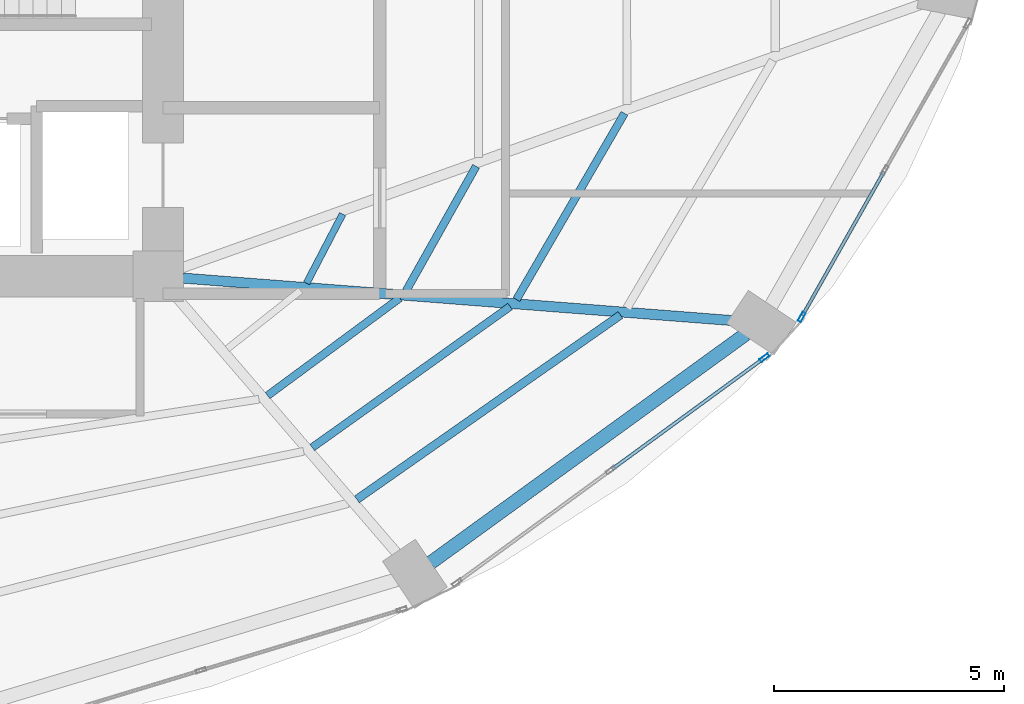
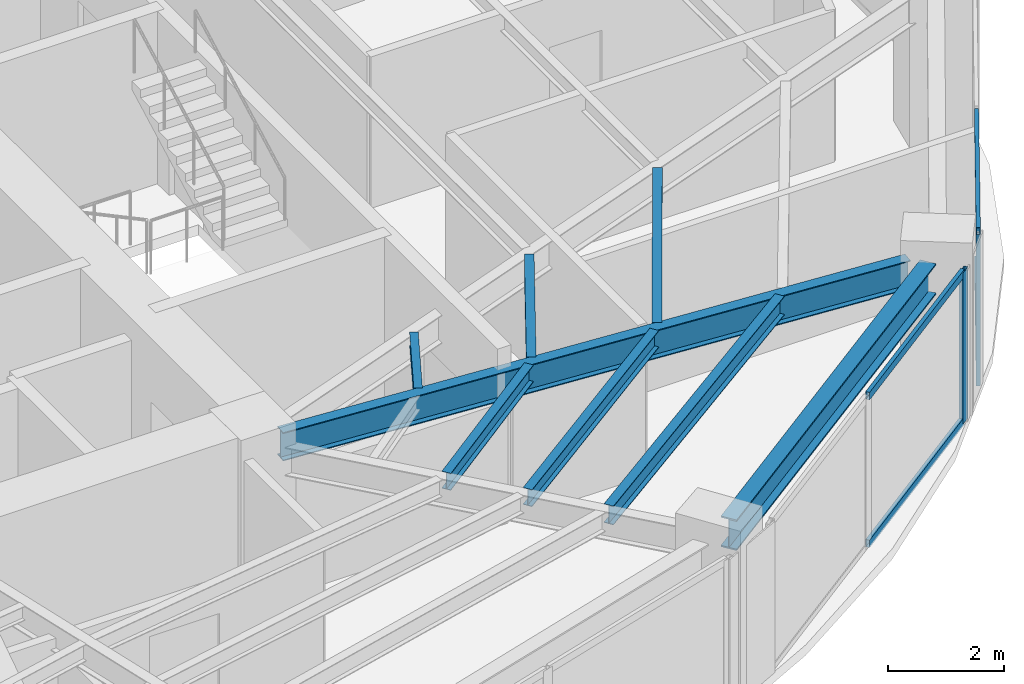
# One storey, part 10 of 24: 8 beams, 6 members, 2 elements without a shape of their own.
"""IFC4 building model written with IfcOpenShell, lengths in metres."""

from ifc_helpers import new_model, si_unit, direction, frame, origin, origin_2d, place, context, subcontext, project, spatial, hollow_rectangle, i_section, extrude, material, layer, layer_set, material_profile, profile_set, type_object, element, aggregate, save


model = new_model("IFC4")

# Units and contexts
model_context = context("Model", 3, precision=1e-05, world=origin(), true_north=direction((0.0, 1.0)))
body_context = subcontext(model_context, "Body", "Model", "MODEL_VIEW")
ifc_project = project(units=[si_unit("LENGTHUNIT", "METRE"), si_unit("AREAUNIT", "SQUARE_METRE"), si_unit("VOLUMEUNIT", "CUBIC_METRE"), si_unit("PLANEANGLEUNIT", "RADIAN"), si_unit("MASSUNIT", "GRAM", prefix="KILO")], contexts=[model_context])

# Site, building, storey
site_placement = place(None, origin())
site = spatial("IfcSite", under=ifc_project, at=site_placement, CompositionType="ELEMENT")
building_placement = place(site_placement, origin())
building = spatial("IfcBuilding", under=site, at=building_placement, Name="Lazwardi Medical Tower", CompositionType="ELEMENT")
storey_placement = place(building_placement, frame((0.0, 0.0, 72.6240234375)))
storey = spatial("IfcBuildingStorey", under=building, at=storey_placement, Name="L18", CompositionType="ELEMENT", Elevation=72.6240234375)

# Beams
ifc_material_1 = material(Name="Steel S355", Category="steel")
ifc_material_profile_1 = material_profile(ifc_material_1, i_section(OverallWidth=0.300048828125, OverallDepth=0.64990234375, WebThickness=0.01611328125, FlangeThickness=0.031005859375, at=origin_2d()), Name="HEB 650")
ifc_profile_set_1 = profile_set([ifc_material_profile_1], Name="Steel S355")
beam_type_1 = type_object("IfcBeamType", Name="BM-RB-Z1", PredefinedType="BEAM", material=ifc_profile_set_1)
beam_1_placement = place(storey_placement, frame((51.52099609375, 14.16259765625, 2.873046875), z_axis=(0.80939338516, 0.5872668457, 0.0), x_axis=(-0.5872668457, 0.80939338516, 0.0)))
element("IfcBeam", 1, at=beam_1_placement, inside=storey, type_object=beam_type_1, Name="Ring beam RB-02 B02 L18", PredefinedType="BEAM", context=body_context, shape_type="SweptSolid", body=[
    extrude(i_section(OverallWidth=0.300048828125, OverallDepth=0.64990234375, WebThickness=0.01611328125, FlangeThickness=0.031005859375, at=origin_2d()), origin(), (0.0, 0.0, 1.0), 8.47412109375),
])
ifc_material_profile_2 = material_profile(ifc_material_1, i_section(OverallWidth=0.219970703125, OverallDepth=0.60009765625, WebThickness=0.011962890625, FlangeThickness=0.01904296875, at=origin_2d()), Name="IPE 600")
ifc_profile_set_2 = profile_set([ifc_material_profile_2], Name="Steel S355")
beam_type_2 = type_object("IfcBeamType", Name="BM-RG-W1", PredefinedType="BEAM", material=ifc_profile_set_2)
beam_2_placement = place(storey_placement, frame((58.1416015625, 19.430419921875, 2.89794921875), z_axis=(-0.997024241118, 0.077088667283, 0.0), x_axis=(-0.077088667283, -0.997024241118, 0.0)))
element("IfcBeam", 2, at=beam_2_placement, inside=storey, type_object=beam_type_2, Name="Radial girder RG-02 R03 L18", PredefinedType="BEAM", context=body_context, shape_type="SweptSolid", body=[
    extrude(i_section(OverallWidth=0.219970703125, OverallDepth=0.60009765625, WebThickness=0.011962890625, FlangeThickness=0.01904296875, at=origin_2d()), origin(), (0.0, 0.0, 1.0), 12.044189453125),
])
ifc_material_profile_3 = material_profile(ifc_material_1, i_section(OverallWidth=0.179931640625, OverallDepth=0.39990234375, WebThickness=0.008544921875, FlangeThickness=0.013427734375, at=origin_2d()), Name="IPE 400")
ifc_profile_set_3 = profile_set([ifc_material_profile_3], Name="Steel S355")
beam_type_3 = type_object("IfcBeamType", Name="BM-SJ-01", PredefinedType="JOIST", material=ifc_profile_set_3)
beam_3_placement = place(storey_placement, frame((49.91796875, 15.543701171875, 2.998046875), z_axis=(0.81942522483, 0.573186096231, 0.0), x_axis=(-0.573186096231, 0.81942522483, 0.0)))
element("IfcBeam", 3, at=beam_3_placement, inside=storey, type_object=beam_type_3, Name="Secondary joist SJ-01 R1 B02 L18", PredefinedType="JOIST", context=body_context, shape_type="SweptSolid", body=[
    extrude(i_section(OverallWidth=0.179931640625, OverallDepth=0.39990234375, WebThickness=0.008544921875, FlangeThickness=0.013427734375, at=origin_2d()), origin(), (0.0, 0.0, 1.0), 6.999755859375),
])
ifc_material_profile_4 = material_profile(ifc_material_1, i_section(OverallWidth=0.169921875, OverallDepth=0.360107421875, WebThickness=0.008056640625, FlangeThickness=0.0126953125, at=origin_2d()), Name="IPE 360")
ifc_profile_set_4 = profile_set([ifc_material_profile_4], Name="Steel S355")
beam_type_4 = type_object("IfcBeamType", Name="BM-SJ-02", PredefinedType="JOIST", material=ifc_profile_set_4)
beam_4_placement = place(storey_placement, frame((48.94677734375, 16.672119140625, 3.01806640625), z_axis=(0.814341377136, 0.580386183058, 0.0), x_axis=(-0.580386183058, 0.814341377136, 0.0)))
element("IfcBeam", 4, at=beam_4_placement, inside=storey, type_object=beam_type_4, Name="Secondary joist SJ-02 R2 B02 L18", PredefinedType="JOIST", context=body_context, shape_type="SweptSolid", body=[
    extrude(i_section(OverallWidth=0.169921875, OverallDepth=0.360107421875, WebThickness=0.008056640625, FlangeThickness=0.0126953125, at=origin_2d()), origin(), (0.0, 0.0, 1.0), 5.28759765625),
])
beam_5_placement = place(storey_placement, frame((53.39111328125, 19.892578125, 3.01806640625), z_axis=(0.501798442848, 0.86498457949, 0.0), x_axis=(-0.86498457949, 0.501798442848, 0.0)))
element("IfcBeam", 5, at=beam_5_placement, inside=storey, type_object=beam_type_4, Name="Secondary joist SJ-02 R2 B03 L18", PredefinedType="JOIST", context=body_context, shape_type="SweptSolid", body=[
    extrude(i_section(OverallWidth=0.169921875, OverallDepth=0.360107421875, WebThickness=0.008056640625, FlangeThickness=0.0126953125, at=origin_2d()), origin(), (0.0, 0.0, 1.0), 4.683349609375),
])
beam_6_placement = place(storey_placement, frame((47.974853515625, 17.80126953125, 3.01806640625), z_axis=(0.804580292353, 0.593843879448, 0.0), x_axis=(-0.593843879448, 0.804580292353, 0.0)))
element("IfcBeam", 6, at=beam_6_placement, inside=storey, type_object=beam_type_4, Name="Secondary joist SJ-02 R3 B02 L18", PredefinedType="JOIST", context=body_context, shape_type="SweptSolid", body=[
    extrude(i_section(OverallWidth=0.169921875, OverallDepth=0.360107421875, WebThickness=0.008056640625, FlangeThickness=0.0126953125, at=origin_2d()), origin(), (0.0, 0.0, 1.0), 3.576416015625),
])
beam_7_placement = place(storey_placement, frame((50.988037109375, 20.0791015625, 3.01806640625), z_axis=(0.489974339037, 0.87173685656, 0.0), x_axis=(-0.87173685656, 0.489974339037, 0.0)))
element("IfcBeam", 7, at=beam_7_placement, inside=storey, type_object=beam_type_4, Name="Secondary joist SJ-02 R3 B03 L18", PredefinedType="JOIST", context=body_context, shape_type="SweptSolid", body=[
    extrude(i_section(OverallWidth=0.169921875, OverallDepth=0.360107421875, WebThickness=0.008056640625, FlangeThickness=0.0126953125, at=origin_2d()), origin(), (0.0, 0.0, 1.0), 3.111328125),
])
ifc_material_profile_5 = material_profile(ifc_material_1, i_section(OverallWidth=0.14990234375, OverallDepth=0.300048828125, WebThickness=0.007080078125, FlangeThickness=0.0107421875, at=origin_2d()), Name="IPE 300")
ifc_profile_set_5 = profile_set([ifc_material_profile_5], Name="Steel S355")
beam_type_5 = type_object("IfcBeamType", Name="BM-SJ-03", PredefinedType="JOIST", material=ifc_profile_set_5)
beam_8_placement = place(storey_placement, frame((48.82373046875, 20.247802734375, 3.048095703125), z_axis=(0.462162985948, 0.88679500135, 0.0), x_axis=(-0.88679500135, 0.462162985948, 0.0)))
element("IfcBeam", 8, at=beam_8_placement, inside=storey, type_object=beam_type_5, Name="Secondary joist SJ-03 R4 B03 L18", PredefinedType="JOIST", context=body_context, shape_type="SweptSolid", body=[
    extrude(i_section(OverallWidth=0.14990234375, OverallDepth=0.300048828125, WebThickness=0.007080078125, FlangeThickness=0.0107421875, at=origin_2d()), origin(), (0.0, 0.0, 1.0), 1.69775390625),
])

# Curtain wall, member
ifc_material_2 = material(Name="Anodised bronze aluminium and solar control glazing", Category="aluminium")
ifc_layer = layer(ifc_material_2, 0.199951171875)
ifc_layer_set = layer_set([ifc_layer], Name="Anodised bronze aluminium and solar control glazing")
curtain_wall_type = type_object("IfcCurtainWallType", Name="CW-SYS-02", PredefinedType="NOTDEFINED", material=ifc_layer_set)
curtain_wall_1_placement = place(storey_placement, origin())
curtain_wall_1 = element("IfcCurtainWall", 9, at=curtain_wall_1_placement, inside=storey, type_object=curtain_wall_type, Name="L18 Unitised bronze curtain wall CW-02", PredefinedType="NOTDEFINED")
ifc_material_3 = material(Name="Anodised bronze aluminium", Category="aluminium")
ifc_material_profile_6 = material_profile(ifc_material_3, hollow_rectangle(XDim=0.074951171875, YDim=0.219970703125, WallThickness=0.00390625, at=origin_2d()), Name="ALU-MULLION 220x75x4")
ifc_profile_set_6 = profile_set([ifc_material_profile_6], Name="Anodised bronze aluminium")
member_type_1 = type_object("IfcMemberType", Name="CW-MUL-01", PredefinedType="MULLION", material=ifc_profile_set_6)
member_1_placement = place(storey_placement, frame((58.790283203125, 18.62744140625, 0.0), z_axis=(0.0, 0.0, 1.0), x_axis=(-0.590289307341, 0.807191757663, 0.0)))
member_1 = element("IfcMember", 10, at=member_1_placement, type_object=member_type_1, Name="CW-02 mullion 3", PredefinedType="MULLION", context=body_context, shape_type="SweptSolid", body=[
    extrude(hollow_rectangle(XDim=0.074951171875, YDim=0.219970703125, WallThickness=0.00390625, at=origin_2d()), origin(), (0.0, 0.0, 1.0), 3.197998046875),
])

curtain_wall_2_placement = place(storey_placement, origin())
curtain_wall_2 = element("IfcCurtainWall", 11, at=curtain_wall_2_placement, inside=storey, type_object=curtain_wall_type, Name="L18 Unitised bronze curtain wall CW-02", PredefinedType="NOTDEFINED")
member_2_placement = place(storey_placement, frame((59.5966796875, 19.511474609375, 0.0), z_axis=(0.0, 0.0, 1.0), x_axis=(-0.870111838823, 0.492854327303, 0.0)))
member_2 = element("IfcMember", 12, at=member_2_placement, type_object=member_type_1, Name="CW-02 mullion 1", PredefinedType="MULLION", context=body_context, shape_type="SweptSolid", body=[
    extrude(hollow_rectangle(XDim=0.074951171875, YDim=0.219970703125, WallThickness=0.00390625, at=origin_2d()), origin(), (0.0, 0.0, 1.0), 3.197998046875),
])

# Member
ifc_material_profile_7 = material_profile(ifc_material_3, hollow_rectangle(XDim=0.074951171875, YDim=0.159912109375, WallThickness=0.00390625, at=origin_2d()), Name="ALU-TRANSOM 160x75x4")
ifc_profile_set_7 = profile_set([ifc_material_profile_7], Name="Anodised bronze aluminium")
member_type_2 = type_object("IfcMemberType", Name="CW-TRN-01", PredefinedType="USERDEFINED", material=ifc_profile_set_7)
member_3_placement = place(storey_placement, frame((55.474609375, 16.202880859375, 0.03759765625), z_axis=(0.807218536774, 0.590252686472, 0.0), x_axis=(-0.590252686472, 0.807218536774, 0.0)))
member_3 = element("IfcMember", 13, at=member_3_placement, type_object=member_type_2, Name="CW-02 transom 2.1", ObjectType="TRANSOM", PredefinedType="USERDEFINED", context=body_context, shape_type="SweptSolid", body=[
    extrude(hollow_rectangle(XDim=0.074951171875, YDim=0.159912109375, WallThickness=0.00390625, at=origin_2d()), origin(), (0.0, 0.0, 1.0), 4.070068359375),
])

member_4_placement = place(storey_placement, frame((55.474609375, 16.202880859375, 3.160400390625), z_axis=(0.807218536774, 0.590252686472, 0.0), x_axis=(-0.590252686472, 0.807218536774, 0.0)))
member_4 = element("IfcMember", 14, at=member_4_placement, type_object=member_type_2, Name="CW-02 transom 2.2", ObjectType="TRANSOM", PredefinedType="USERDEFINED", context=body_context, shape_type="SweptSolid", body=[
    extrude(hollow_rectangle(XDim=0.074951171875, YDim=0.159912109375, WallThickness=0.00390625, at=origin_2d()), origin(), (0.0, 0.0, 1.0), 4.070068359375),
])

aggregate(curtain_wall_1, [member_1, member_3, member_4])

member_5_placement = place(storey_placement, frame((59.615234375, 19.5439453125, 0.03759765625), z_axis=(0.49285148925, 0.870113446365, 0.0), x_axis=(-0.870113446365, 0.49285148925, 0.0)))
member_5 = element("IfcMember", 15, at=member_5_placement, type_object=member_type_2, Name="CW-02 transom 1.1", ObjectType="TRANSOM", PredefinedType="USERDEFINED", context=body_context, shape_type="SweptSolid", body=[
    extrude(hollow_rectangle(XDim=0.074951171875, YDim=0.159912109375, WallThickness=0.00390625, at=origin_2d()), origin(), (0.0, 0.0, 1.0), 3.594970703125),
])

member_6_placement = place(storey_placement, frame((59.615234375, 19.5439453125, 3.160400390625), z_axis=(0.49285148925, 0.870113446365, 0.0), x_axis=(-0.870113446365, 0.49285148925, 0.0)))
member_6 = element("IfcMember", 16, at=member_6_placement, type_object=member_type_2, Name="CW-02 transom 1.2", ObjectType="TRANSOM", PredefinedType="USERDEFINED", context=body_context, shape_type="SweptSolid", body=[
    extrude(hollow_rectangle(XDim=0.074951171875, YDim=0.159912109375, WallThickness=0.00390625, at=origin_2d()), origin(), (0.0, 0.0, 1.0), 3.594970703125),
])

aggregate(curtain_wall_2, [member_2, member_5, member_6])

save(model, "model.ifc")
